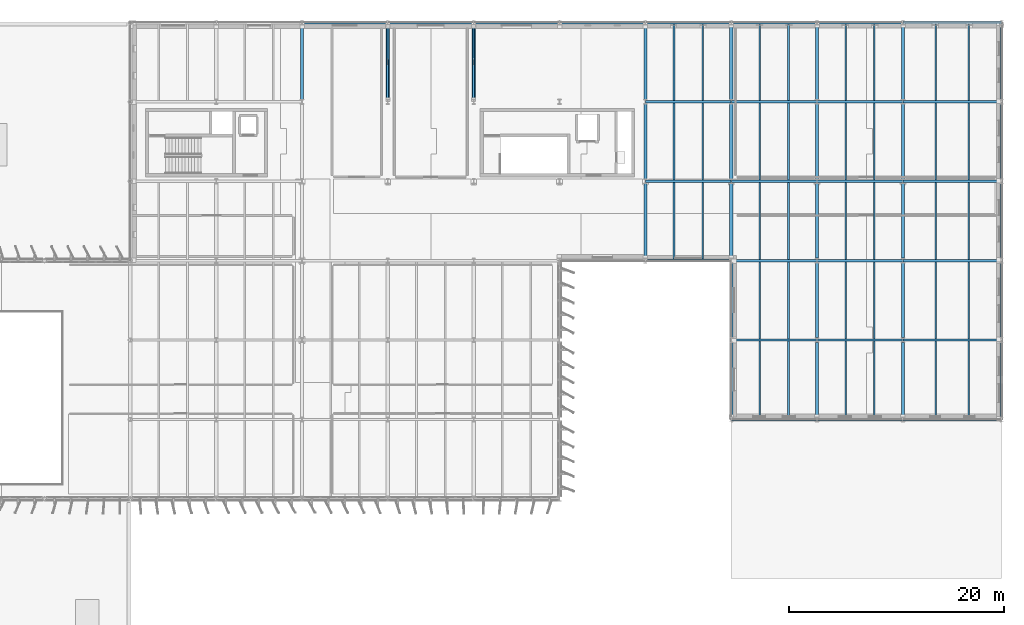
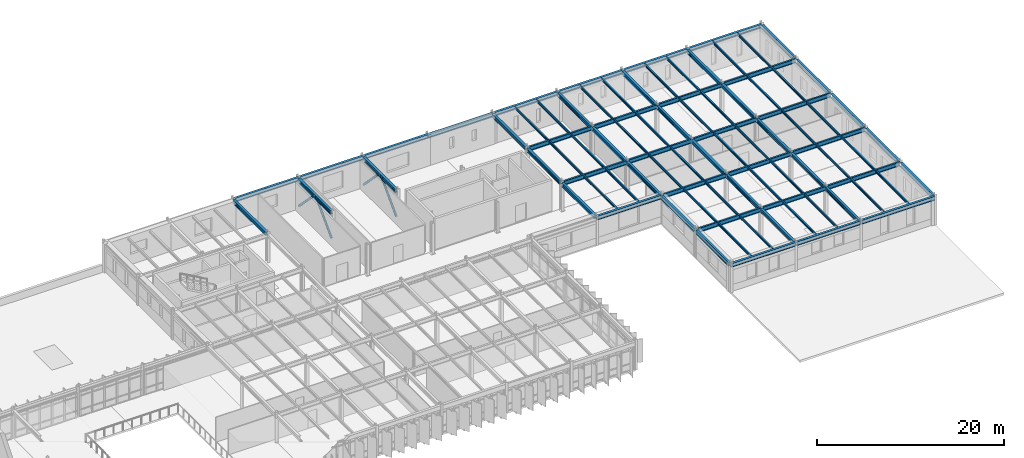
# One storey, part 26 of 56: 88 beams, 4 members.
"""IFC4 building model written with IfcOpenShell, lengths in metres."""

from ifc_helpers import new_model, si_unit, direction, frame, origin, origin_2d, place, context, subcontext, project, spatial, hollow_circle, i_section, extrude, material, material_profile, profile_set, type_object, element, save


model = new_model("IFC4")

# Units and contexts
model_context = context("Model", 3, precision=1e-05, world=origin(), true_north=direction((0.0, 1.0)))
body_context = subcontext(model_context, "Body", "Model", "MODEL_VIEW")
ifc_project = project(units=[si_unit("LENGTHUNIT", "METRE"), si_unit("AREAUNIT", "SQUARE_METRE"), si_unit("VOLUMEUNIT", "CUBIC_METRE"), si_unit("PLANEANGLEUNIT", "RADIAN"), si_unit("MASSUNIT", "GRAM", prefix="KILO")], contexts=[model_context])

# Site, building, storey
site_placement = place(None, origin())
site = spatial("IfcSite", under=ifc_project, at=site_placement, CompositionType="ELEMENT")
building_placement = place(site_placement, origin())
building = spatial("IfcBuilding", under=site, at=building_placement, Name="Valkorina Park Police Headquarters", CompositionType="ELEMENT")
storey_placement = place(building_placement, frame((0.0, 0.0, 14.10009765625)))
storey = spatial("IfcBuildingStorey", under=building, at=storey_placement, Name="L04", CompositionType="ELEMENT", Elevation=14.10009765625)

# Beams
ifc_material = material(Name="Steel S355", Category="steel")
ifc_material_profile_1 = material_profile(ifc_material, i_section(OverallWidth=0.300048828125, OverallDepth=0.489990234375, WebThickness=0.011962890625, FlangeThickness=0.02294921875, FilletRadius=0.027099609375, at=origin_2d()), Name="HEA 500")
ifc_profile_set_1 = profile_set([ifc_material_profile_1], Name="Steel S355")
beam_type_1 = type_object("IfcBeamType", Name="BM-S355-HEA500-BM", PredefinedType="BEAM", material=ifc_profile_set_1)
for number, where, z_axis, x_axis, name in (
    (1, (96.800048828125, 74.22509765625, 3.494873046875), (0.0, 1.0, 0.0), (-1.0, 0.0, 0.0), "L04 Framing Beam 2373"),
    (2, (128.800048828125, 59.425048828125, 3.474853515625), (0.0, 1.0, 0.0), (-1.0, 0.0, 0.0), "L04 Framing Beam 2395"),
    (3, (128.800048828125, 66.824951171875, 3.474853515625), (0.0, 1.0, 0.0), (-1.0, 0.0, 0.0), "L04 Framing Beam 2398"),
    (4, (128.800048828125, 74.22509765625, 3.474853515625), (0.0, 1.0, 0.0), (-1.0, 0.0, 0.0), "L04 Framing Beam 2401"),
    (5, (136.800048828125, 59.425048828125, 3.474853515625), (0.0, 1.0, 0.0), (-1.0, 0.0, 0.0), "L04 Framing Beam 2410"),
    (6, (136.800048828125, 66.824951171875, 3.474853515625), (0.0, 1.0, 0.0), (-1.0, 0.0, 0.0), "L04 Framing Beam 2413"),
    (7, (136.800048828125, 74.22509765625, 3.474853515625), (0.0, 1.0, 0.0), (-1.0, 0.0, 0.0), "L04 Framing Beam 2416"),
    (8, (144.800048828125, 44.625, 3.474853515625), (0.0, 1.0, 0.0), (-1.0, 0.0, 0.0), "L04 Framing Beam 2419"),
):
    element("IfcBeam", number, at=place(storey_placement, frame(where, z_axis=z_axis, x_axis=x_axis)), inside=storey, type_object=beam_type_1, Name=name, PredefinedType="BEAM", context=body_context, shape_type="SweptSolid", body=[
        extrude(i_section(OverallWidth=0.300048828125, OverallDepth=0.489990234375, WebThickness=0.011962890625, FlangeThickness=0.02294921875, FilletRadius=0.027099609375, at=origin_2d()), origin(), (0.0, 0.0, 1.0), 6.949951171875),
    ])
beam_1_placement = place(storey_placement, frame((144.800048828125, 52.02490234375, 3.474853515625), z_axis=(0.0, 1.0, 0.0), x_axis=(-1.0, 0.0, 0.0)))
element("IfcBeam", 9, at=beam_1_placement, inside=storey, type_object=beam_type_1, Name="L04 Framing Beam 2422", PredefinedType="BEAM", context=body_context, shape_type="SweptSolid", body=[
    extrude(i_section(OverallWidth=0.300048828125, OverallDepth=0.489990234375, WebThickness=0.011962890625, FlangeThickness=0.02294921875, FilletRadius=0.027099609375, at=origin_2d()), origin(), (0.0, 0.0, 1.0), 6.9501953125),
])
for number, where, z_axis, x_axis, name in (
    (10, (144.800048828125, 59.425048828125, 3.474853515625), (0.0, 1.0, 0.0), (-1.0, 0.0, 0.0), "L04 Framing Beam 2425"),
    (11, (144.800048828125, 66.824951171875, 3.474853515625), (0.0, 1.0, 0.0), (-1.0, 0.0, 0.0), "L04 Framing Beam 2428"),
    (12, (144.800048828125, 74.22509765625, 3.474853515625), (0.0, 1.0, 0.0), (-1.0, 0.0, 0.0), "L04 Framing Beam 2431"),
    (13, (152.800048828125, 44.625, 3.474853515625), (0.0, 1.0, 0.0), (-1.0, 0.0, 0.0), "L04 Framing Beam 2434"),
):
    element("IfcBeam", number, at=place(storey_placement, frame(where, z_axis=z_axis, x_axis=x_axis)), inside=storey, type_object=beam_type_1, Name=name, PredefinedType="BEAM", context=body_context, shape_type="SweptSolid", body=[
        extrude(i_section(OverallWidth=0.300048828125, OverallDepth=0.489990234375, WebThickness=0.011962890625, FlangeThickness=0.02294921875, FilletRadius=0.027099609375, at=origin_2d()), origin(), (0.0, 0.0, 1.0), 6.949951171875),
    ])
beam_2_placement = place(storey_placement, frame((152.800048828125, 52.02490234375, 3.474853515625), z_axis=(0.0, 1.0, 0.0), x_axis=(-1.0, 0.0, 0.0)))
element("IfcBeam", 14, at=beam_2_placement, inside=storey, type_object=beam_type_1, Name="L04 Framing Beam 2438", PredefinedType="BEAM", context=body_context, shape_type="SweptSolid", body=[
    extrude(i_section(OverallWidth=0.300048828125, OverallDepth=0.489990234375, WebThickness=0.011962890625, FlangeThickness=0.02294921875, FilletRadius=0.027099609375, at=origin_2d()), origin(), (0.0, 0.0, 1.0), 6.9501953125),
])
for number, where, z_axis, x_axis, name in (
    (15, (152.800048828125, 59.425048828125, 3.474853515625), (0.0, 1.0, 0.0), (-1.0, 0.0, 0.0), "L04 Framing Beam 2442"),
    (16, (152.800048828125, 66.824951171875, 3.474853515625), (0.0, 1.0, 0.0), (-1.0, 0.0, 0.0), "L04 Framing Beam 2446"),
    (17, (152.800048828125, 74.22509765625, 3.474853515625), (0.0, 1.0, 0.0), (-1.0, 0.0, 0.0), "L04 Framing Beam 2450"),
    (18, (104.800048828125, 74.22509765625, 3.494873046875), (0.0, 1.0, 0.0), (-1.0, 0.0, 0.0), "L04 Braced Frame Header Girder 1"),
    (19, (112.800048828125, 74.22509765625, 3.494873046875), (0.0, 1.0, 0.0), (-1.0, 0.0, 0.0), "L04 Braced Frame Header Girder 2"),
):
    element("IfcBeam", number, at=place(storey_placement, frame(where, z_axis=z_axis, x_axis=x_axis)), inside=storey, type_object=beam_type_1, Name=name, PredefinedType="BEAM", context=body_context, shape_type="SweptSolid", body=[
        extrude(i_section(OverallWidth=0.300048828125, OverallDepth=0.489990234375, WebThickness=0.011962890625, FlangeThickness=0.02294921875, FilletRadius=0.027099609375, at=origin_2d()), origin(), (0.0, 0.0, 1.0), 6.949951171875),
    ])
ifc_material_profile_2 = material_profile(ifc_material, i_section(OverallWidth=0.300048828125, OverallDepth=0.489990234375, WebThickness=0.011962890625, FlangeThickness=0.02294921875, FilletRadius=0.027099609375, at=origin_2d()), Name="HEA 500")
ifc_profile_set_2 = profile_set([ifc_material_profile_2], Name="Steel S355")
beam_type_2 = type_object("IfcBeamType", Name="BM-S355-HEA500-SPN", PredefinedType="SPANDREL", material=ifc_profile_set_2)
for number, where, z_axis, x_axis, name in (
    (20, (136.806884765625, 44.39990234375, 3.474853515625), (1.0, 0.0, 0.0), (0.0, 1.0, 0.0), "L04 Framing Beam 2238"),
    (21, (144.806884765625, 44.39990234375, 3.474853515625), (1.0, 0.0, 0.0), (0.0, 1.0, 0.0), "L04 Framing Beam 2239"),
):
    element("IfcBeam", number, at=place(storey_placement, frame(where, z_axis=z_axis, x_axis=x_axis)), inside=storey, type_object=beam_type_2, Name=name, PredefinedType="SPANDREL", context=body_context, shape_type="SweptSolid", body=[
        extrude(i_section(OverallWidth=0.300048828125, OverallDepth=0.489990234375, WebThickness=0.011962890625, FlangeThickness=0.02294921875, FilletRadius=0.027099609375, at=origin_2d()), origin(), (0.0, 0.0, 1.0), 7.986083984375),
    ])
beam_3_placement = place(storey_placement, frame((152.806884765625, 44.39990234375, 3.474853515625), z_axis=(1.0, 0.0, 0.0), x_axis=(0.0, 1.0, 0.0)))
element("IfcBeam", 22, at=beam_3_placement, inside=storey, type_object=beam_type_2, Name="L04 Framing Beam 2240", PredefinedType="SPANDREL", context=body_context, shape_type="SweptSolid", body=[
    extrude(i_section(OverallWidth=0.300048828125, OverallDepth=0.489990234375, WebThickness=0.011962890625, FlangeThickness=0.02294921875, FilletRadius=0.027099609375, at=origin_2d()), origin(), (0.0, 0.0, 1.0), 9.18603515625),
])
for number, where, z_axis, x_axis, name in (
    (23, (128.806884765625, 59.199951171875, 3.474853515625), (1.0, 0.0, 0.0), (0.0, 1.0, 0.0), "L04 Framing Beam 2265"),
    (24, (96.806884765625, 81.39990234375, 3.494873046875), (1.0, 0.0, 0.0), (0.0, 1.0, 0.0), "L04 Framing Beam 2283"),
    (25, (104.806884765625, 81.39990234375, 3.494873046875), (1.0, 0.0, 0.0), (0.0, 1.0, 0.0), "L04 Framing Beam 2284"),
    (26, (112.806884765625, 81.39990234375, 3.494873046875), (1.0, 0.0, 0.0), (0.0, 1.0, 0.0), "L04 Framing Beam 2285"),
    (27, (120.806884765625, 81.39990234375, 3.474853515625), (1.0, 0.0, 0.0), (0.0, 1.0, 0.0), "L04 Framing Beam 2286"),
    (28, (128.806884765625, 81.39990234375, 3.474853515625), (1.0, 0.0, 0.0), (0.0, 1.0, 0.0), "L04 Framing Beam 2287"),
    (29, (136.806884765625, 81.39990234375, 3.474853515625), (1.0, 0.0, 0.0), (0.0, 1.0, 0.0), "L04 Framing Beam 2288"),
    (30, (144.806884765625, 81.39990234375, 3.474853515625), (1.0, 0.0, 0.0), (0.0, 1.0, 0.0), "L04 Framing Beam 2289"),
):
    element("IfcBeam", number, at=place(storey_placement, frame(where, z_axis=z_axis, x_axis=x_axis)), inside=storey, type_object=beam_type_2, Name=name, PredefinedType="SPANDREL", context=body_context, shape_type="SweptSolid", body=[
        extrude(i_section(OverallWidth=0.300048828125, OverallDepth=0.489990234375, WebThickness=0.011962890625, FlangeThickness=0.02294921875, FilletRadius=0.027099609375, at=origin_2d()), origin(), (0.0, 0.0, 1.0), 7.986083984375),
    ])
beam_4_placement = place(storey_placement, frame((152.806884765625, 81.39990234375, 3.474853515625), z_axis=(1.0, 0.0, 0.0), x_axis=(0.0, 1.0, 0.0)))
element("IfcBeam", 31, at=beam_4_placement, inside=storey, type_object=beam_type_2, Name="L04 Framing Beam 2290", PredefinedType="SPANDREL", context=body_context, shape_type="SweptSolid", body=[
    extrude(i_section(OverallWidth=0.300048828125, OverallDepth=0.489990234375, WebThickness=0.011962890625, FlangeThickness=0.02294921875, FilletRadius=0.027099609375, at=origin_2d()), origin(), (0.0, 0.0, 1.0), 9.18603515625),
])
beam_5_placement = place(storey_placement, frame((136.800048828125, 44.625, 3.474853515625), z_axis=(0.0, 1.0, 0.0), x_axis=(-1.0, 0.0, 0.0)))
element("IfcBeam", 32, at=beam_5_placement, inside=storey, type_object=beam_type_2, Name="L04 Framing Beam 2404", PredefinedType="SPANDREL", context=body_context, shape_type="SweptSolid", body=[
    extrude(i_section(OverallWidth=0.300048828125, OverallDepth=0.489990234375, WebThickness=0.011962890625, FlangeThickness=0.02294921875, FilletRadius=0.027099609375, at=origin_2d()), origin(), (0.0, 0.0, 1.0), 6.949951171875),
])
beam_6_placement = place(storey_placement, frame((136.800048828125, 52.02490234375, 3.474853515625), z_axis=(0.0, 1.0, 0.0), x_axis=(-1.0, 0.0, 0.0)))
element("IfcBeam", 33, at=beam_6_placement, inside=storey, type_object=beam_type_2, Name="L04 Framing Beam 2407", PredefinedType="SPANDREL", context=body_context, shape_type="SweptSolid", body=[
    extrude(i_section(OverallWidth=0.300048828125, OverallDepth=0.489990234375, WebThickness=0.011962890625, FlangeThickness=0.02294921875, FilletRadius=0.027099609375, at=origin_2d()), origin(), (0.0, 0.0, 1.0), 6.9501953125),
])
beam_7_placement = place(storey_placement, frame((162.0, 44.625, 3.474853515625), z_axis=(0.0, 1.0, 0.0), x_axis=(-1.0, 0.0, 0.0)))
element("IfcBeam", 34, at=beam_7_placement, inside=storey, type_object=beam_type_2, Name="L04 Framing Beam 2435", PredefinedType="SPANDREL", context=body_context, shape_type="SweptSolid", body=[
    extrude(i_section(OverallWidth=0.300048828125, OverallDepth=0.489990234375, WebThickness=0.011962890625, FlangeThickness=0.02294921875, FilletRadius=0.027099609375, at=origin_2d()), origin(), (0.0, 0.0, 1.0), 6.949951171875),
])
beam_8_placement = place(storey_placement, frame((162.0, 52.02490234375, 3.474853515625), z_axis=(0.0, 1.0, 0.0), x_axis=(-1.0, 0.0, 0.0)))
element("IfcBeam", 35, at=beam_8_placement, inside=storey, type_object=beam_type_2, Name="L04 Framing Beam 2439", PredefinedType="SPANDREL", context=body_context, shape_type="SweptSolid", body=[
    extrude(i_section(OverallWidth=0.300048828125, OverallDepth=0.489990234375, WebThickness=0.011962890625, FlangeThickness=0.02294921875, FilletRadius=0.027099609375, at=origin_2d()), origin(), (0.0, 0.0, 1.0), 6.9501953125),
])
for number, where, z_axis, x_axis, name in (
    (36, (162.0, 59.425048828125, 3.474853515625), (0.0, 1.0, 0.0), (-1.0, 0.0, 0.0), "L04 Framing Beam 2443"),
    (37, (162.0, 66.824951171875, 3.474853515625), (0.0, 1.0, 0.0), (-1.0, 0.0, 0.0), "L04 Framing Beam 2447"),
    (38, (162.0, 74.22509765625, 3.474853515625), (0.0, 1.0, 0.0), (-1.0, 0.0, 0.0), "L04 Framing Beam 2451"),
):
    element("IfcBeam", number, at=place(storey_placement, frame(where, z_axis=z_axis, x_axis=x_axis)), inside=storey, type_object=beam_type_2, Name=name, PredefinedType="SPANDREL", context=body_context, shape_type="SweptSolid", body=[
        extrude(i_section(OverallWidth=0.300048828125, OverallDepth=0.489990234375, WebThickness=0.011962890625, FlangeThickness=0.02294921875, FilletRadius=0.027099609375, at=origin_2d()), origin(), (0.0, 0.0, 1.0), 6.949951171875),
    ])
ifc_material_profile_3 = material_profile(ifc_material, i_section(OverallWidth=0.14990234375, OverallDepth=0.300048828125, WebThickness=0.007080078125, FlangeThickness=0.0107421875, FilletRadius=0.014892578125, at=origin_2d()), Name="IPE 300")
ifc_profile_set_3 = profile_set([ifc_material_profile_3], Name="Steel S355")
beam_type_3 = type_object("IfcBeamType", Name="BM-S355-IPE300-JST", PredefinedType="JOIST", material=ifc_profile_set_3)
for number, where, z_axis, x_axis, name in (
    (39, (131.466796875, 59.35009765625, 3.56982421875), (0.0, 1.0, 0.0), (-1.0, 0.0, 0.0), "L04 Framing Beam 2396"),
    (40, (134.13330078125, 59.35009765625, 3.56982421875), (0.0, 1.0, 0.0), (-1.0, 0.0, 0.0), "L04 Framing Beam 2397"),
):
    element("IfcBeam", number, at=place(storey_placement, frame(where, z_axis=z_axis, x_axis=x_axis)), inside=storey, type_object=beam_type_3, Name=name, PredefinedType="JOIST", context=body_context, shape_type="SweptSolid", body=[
        extrude(i_section(OverallWidth=0.14990234375, OverallDepth=0.300048828125, WebThickness=0.007080078125, FlangeThickness=0.0107421875, FilletRadius=0.014892578125, at=origin_2d()), origin(), (0.0, 0.0, 1.0), 7.14501953125),
    ])
for number, where, z_axis, x_axis, name in (
    (41, (131.466796875, 66.705078125, 3.56982421875), (0.0, 1.0, 0.0), (-1.0, 0.0, 0.0), "L04 Framing Beam 2399"),
    (42, (134.13330078125, 66.705078125, 3.56982421875), (0.0, 1.0, 0.0), (-1.0, 0.0, 0.0), "L04 Framing Beam 2400"),
):
    element("IfcBeam", number, at=place(storey_placement, frame(where, z_axis=z_axis, x_axis=x_axis)), inside=storey, type_object=beam_type_3, Name=name, PredefinedType="JOIST", context=body_context, shape_type="SweptSolid", body=[
        extrude(i_section(OverallWidth=0.14990234375, OverallDepth=0.300048828125, WebThickness=0.007080078125, FlangeThickness=0.0107421875, FilletRadius=0.014892578125, at=origin_2d()), origin(), (0.0, 0.0, 1.0), 7.18994140625),
    ])
for number, where, z_axis, x_axis, name in (
    (43, (131.466796875, 74.10498046875, 3.56982421875), (0.0, 1.0, 0.0), (-1.0, 0.0, 0.0), "L04 Framing Beam 2402"),
    (44, (134.13330078125, 74.10498046875, 3.56982421875), (0.0, 1.0, 0.0), (-1.0, 0.0, 0.0), "L04 Framing Beam 2403"),
    (45, (139.466796875, 44.550048828125, 3.56982421875), (0.0, 1.0, 0.0), (-1.0, 0.0, 0.0), "L04 Framing Beam 2405"),
    (46, (142.13330078125, 44.550048828125, 3.56982421875), (0.0, 1.0, 0.0), (-1.0, 0.0, 0.0), "L04 Framing Beam 2406"),
):
    element("IfcBeam", number, at=place(storey_placement, frame(where, z_axis=z_axis, x_axis=x_axis)), inside=storey, type_object=beam_type_3, Name=name, PredefinedType="JOIST", context=body_context, shape_type="SweptSolid", body=[
        extrude(i_section(OverallWidth=0.14990234375, OverallDepth=0.300048828125, WebThickness=0.007080078125, FlangeThickness=0.0107421875, FilletRadius=0.014892578125, at=origin_2d()), origin(), (0.0, 0.0, 1.0), 7.14501953125),
    ])
for number, where, z_axis, x_axis, name in (
    (47, (139.466796875, 51.905029296875, 3.56982421875), (0.0, 1.0, 0.0), (-1.0, 0.0, 0.0), "L04 Framing Beam 2408"),
    (48, (142.13330078125, 51.905029296875, 3.56982421875), (0.0, 1.0, 0.0), (-1.0, 0.0, 0.0), "L04 Framing Beam 2409"),
):
    element("IfcBeam", number, at=place(storey_placement, frame(where, z_axis=z_axis, x_axis=x_axis)), inside=storey, type_object=beam_type_3, Name=name, PredefinedType="JOIST", context=body_context, shape_type="SweptSolid", body=[
        extrude(i_section(OverallWidth=0.14990234375, OverallDepth=0.300048828125, WebThickness=0.007080078125, FlangeThickness=0.0107421875, FilletRadius=0.014892578125, at=origin_2d()), origin(), (0.0, 0.0, 1.0), 7.18994140625),
    ])
for number, where, z_axis, x_axis, name in (
    (49, (139.466796875, 59.304931640625, 3.56982421875), (0.0, 1.0, 0.0), (-1.0, 0.0, 0.0), "L04 Framing Beam 2411"),
    (50, (142.13330078125, 59.304931640625, 3.56982421875), (0.0, 1.0, 0.0), (-1.0, 0.0, 0.0), "L04 Framing Beam 2412"),
):
    element("IfcBeam", number, at=place(storey_placement, frame(where, z_axis=z_axis, x_axis=x_axis)), inside=storey, type_object=beam_type_3, Name=name, PredefinedType="JOIST", context=body_context, shape_type="SweptSolid", body=[
        extrude(i_section(OverallWidth=0.14990234375, OverallDepth=0.300048828125, WebThickness=0.007080078125, FlangeThickness=0.0107421875, FilletRadius=0.014892578125, at=origin_2d()), origin(), (0.0, 0.0, 1.0), 7.190185546875),
    ])
for number, where, z_axis, x_axis, name in (
    (51, (139.466796875, 66.705078125, 3.56982421875), (0.0, 1.0, 0.0), (-1.0, 0.0, 0.0), "L04 Framing Beam 2414"),
    (52, (142.13330078125, 66.705078125, 3.56982421875), (0.0, 1.0, 0.0), (-1.0, 0.0, 0.0), "L04 Framing Beam 2415"),
):
    element("IfcBeam", number, at=place(storey_placement, frame(where, z_axis=z_axis, x_axis=x_axis)), inside=storey, type_object=beam_type_3, Name=name, PredefinedType="JOIST", context=body_context, shape_type="SweptSolid", body=[
        extrude(i_section(OverallWidth=0.14990234375, OverallDepth=0.300048828125, WebThickness=0.007080078125, FlangeThickness=0.0107421875, FilletRadius=0.014892578125, at=origin_2d()), origin(), (0.0, 0.0, 1.0), 7.18994140625),
    ])
for number, where, z_axis, x_axis, name in (
    (53, (139.466796875, 74.10498046875, 3.56982421875), (0.0, 1.0, 0.0), (-1.0, 0.0, 0.0), "L04 Framing Beam 2417"),
    (54, (142.13330078125, 74.10498046875, 3.56982421875), (0.0, 1.0, 0.0), (-1.0, 0.0, 0.0), "L04 Framing Beam 2418"),
    (55, (147.466796875, 44.550048828125, 3.56982421875), (0.0, 1.0, 0.0), (-1.0, 0.0, 0.0), "L04 Framing Beam 2420"),
    (56, (150.13330078125, 44.550048828125, 3.56982421875), (0.0, 1.0, 0.0), (-1.0, 0.0, 0.0), "L04 Framing Beam 2421"),
):
    element("IfcBeam", number, at=place(storey_placement, frame(where, z_axis=z_axis, x_axis=x_axis)), inside=storey, type_object=beam_type_3, Name=name, PredefinedType="JOIST", context=body_context, shape_type="SweptSolid", body=[
        extrude(i_section(OverallWidth=0.14990234375, OverallDepth=0.300048828125, WebThickness=0.007080078125, FlangeThickness=0.0107421875, FilletRadius=0.014892578125, at=origin_2d()), origin(), (0.0, 0.0, 1.0), 7.14501953125),
    ])
for number, where, z_axis, x_axis, name in (
    (57, (147.466796875, 51.905029296875, 3.56982421875), (0.0, 1.0, 0.0), (-1.0, 0.0, 0.0), "L04 Framing Beam 2423"),
    (58, (150.13330078125, 51.905029296875, 3.56982421875), (0.0, 1.0, 0.0), (-1.0, 0.0, 0.0), "L04 Framing Beam 2424"),
):
    element("IfcBeam", number, at=place(storey_placement, frame(where, z_axis=z_axis, x_axis=x_axis)), inside=storey, type_object=beam_type_3, Name=name, PredefinedType="JOIST", context=body_context, shape_type="SweptSolid", body=[
        extrude(i_section(OverallWidth=0.14990234375, OverallDepth=0.300048828125, WebThickness=0.007080078125, FlangeThickness=0.0107421875, FilletRadius=0.014892578125, at=origin_2d()), origin(), (0.0, 0.0, 1.0), 7.18994140625),
    ])
for number, where, z_axis, x_axis, name in (
    (59, (147.466796875, 59.304931640625, 3.56982421875), (0.0, 1.0, 0.0), (-1.0, 0.0, 0.0), "L04 Framing Beam 2426"),
    (60, (150.13330078125, 59.304931640625, 3.56982421875), (0.0, 1.0, 0.0), (-1.0, 0.0, 0.0), "L04 Framing Beam 2427"),
):
    element("IfcBeam", number, at=place(storey_placement, frame(where, z_axis=z_axis, x_axis=x_axis)), inside=storey, type_object=beam_type_3, Name=name, PredefinedType="JOIST", context=body_context, shape_type="SweptSolid", body=[
        extrude(i_section(OverallWidth=0.14990234375, OverallDepth=0.300048828125, WebThickness=0.007080078125, FlangeThickness=0.0107421875, FilletRadius=0.014892578125, at=origin_2d()), origin(), (0.0, 0.0, 1.0), 7.190185546875),
    ])
for number, where, z_axis, x_axis, name in (
    (61, (147.466796875, 66.705078125, 3.56982421875), (0.0, 1.0, 0.0), (-1.0, 0.0, 0.0), "L04 Framing Beam 2429"),
    (62, (150.13330078125, 66.705078125, 3.56982421875), (0.0, 1.0, 0.0), (-1.0, 0.0, 0.0), "L04 Framing Beam 2430"),
):
    element("IfcBeam", number, at=place(storey_placement, frame(where, z_axis=z_axis, x_axis=x_axis)), inside=storey, type_object=beam_type_3, Name=name, PredefinedType="JOIST", context=body_context, shape_type="SweptSolid", body=[
        extrude(i_section(OverallWidth=0.14990234375, OverallDepth=0.300048828125, WebThickness=0.007080078125, FlangeThickness=0.0107421875, FilletRadius=0.014892578125, at=origin_2d()), origin(), (0.0, 0.0, 1.0), 7.18994140625),
    ])
for number, where, z_axis, x_axis, name in (
    (63, (147.466796875, 74.10498046875, 3.56982421875), (0.0, 1.0, 0.0), (-1.0, 0.0, 0.0), "L04 Framing Beam 2432"),
    (64, (150.13330078125, 74.10498046875, 3.56982421875), (0.0, 1.0, 0.0), (-1.0, 0.0, 0.0), "L04 Framing Beam 2433"),
    (65, (155.86669921875, 44.550048828125, 3.56982421875), (0.0, 1.0, 0.0), (-1.0, 0.0, 0.0), "L04 Framing Beam 2436"),
    (66, (158.933349609375, 44.550048828125, 3.56982421875), (0.0, 1.0, 0.0), (-1.0, 0.0, 0.0), "L04 Framing Beam 2437"),
):
    element("IfcBeam", number, at=place(storey_placement, frame(where, z_axis=z_axis, x_axis=x_axis)), inside=storey, type_object=beam_type_3, Name=name, PredefinedType="JOIST", context=body_context, shape_type="SweptSolid", body=[
        extrude(i_section(OverallWidth=0.14990234375, OverallDepth=0.300048828125, WebThickness=0.007080078125, FlangeThickness=0.0107421875, FilletRadius=0.014892578125, at=origin_2d()), origin(), (0.0, 0.0, 1.0), 7.14501953125),
    ])
for number, where, z_axis, x_axis, name in (
    (67, (155.86669921875, 51.905029296875, 3.56982421875), (0.0, 1.0, 0.0), (-1.0, 0.0, 0.0), "L04 Framing Beam 2440"),
    (68, (158.933349609375, 51.905029296875, 3.56982421875), (0.0, 1.0, 0.0), (-1.0, 0.0, 0.0), "L04 Framing Beam 2441"),
):
    element("IfcBeam", number, at=place(storey_placement, frame(where, z_axis=z_axis, x_axis=x_axis)), inside=storey, type_object=beam_type_3, Name=name, PredefinedType="JOIST", context=body_context, shape_type="SweptSolid", body=[
        extrude(i_section(OverallWidth=0.14990234375, OverallDepth=0.300048828125, WebThickness=0.007080078125, FlangeThickness=0.0107421875, FilletRadius=0.014892578125, at=origin_2d()), origin(), (0.0, 0.0, 1.0), 7.18994140625),
    ])
for number, where, z_axis, x_axis, name in (
    (69, (155.86669921875, 59.304931640625, 3.56982421875), (0.0, 1.0, 0.0), (-1.0, 0.0, 0.0), "L04 Framing Beam 2444"),
    (70, (158.933349609375, 59.304931640625, 3.56982421875), (0.0, 1.0, 0.0), (-1.0, 0.0, 0.0), "L04 Framing Beam 2445"),
):
    element("IfcBeam", number, at=place(storey_placement, frame(where, z_axis=z_axis, x_axis=x_axis)), inside=storey, type_object=beam_type_3, Name=name, PredefinedType="JOIST", context=body_context, shape_type="SweptSolid", body=[
        extrude(i_section(OverallWidth=0.14990234375, OverallDepth=0.300048828125, WebThickness=0.007080078125, FlangeThickness=0.0107421875, FilletRadius=0.014892578125, at=origin_2d()), origin(), (0.0, 0.0, 1.0), 7.190185546875),
    ])
for number, where, z_axis, x_axis, name in (
    (71, (155.86669921875, 66.705078125, 3.56982421875), (0.0, 1.0, 0.0), (-1.0, 0.0, 0.0), "L04 Framing Beam 2448"),
    (72, (158.933349609375, 66.705078125, 3.56982421875), (0.0, 1.0, 0.0), (-1.0, 0.0, 0.0), "L04 Framing Beam 2449"),
):
    element("IfcBeam", number, at=place(storey_placement, frame(where, z_axis=z_axis, x_axis=x_axis)), inside=storey, type_object=beam_type_3, Name=name, PredefinedType="JOIST", context=body_context, shape_type="SweptSolid", body=[
        extrude(i_section(OverallWidth=0.14990234375, OverallDepth=0.300048828125, WebThickness=0.007080078125, FlangeThickness=0.0107421875, FilletRadius=0.014892578125, at=origin_2d()), origin(), (0.0, 0.0, 1.0), 7.18994140625),
    ])
for number, where, z_axis, x_axis, name in (
    (73, (155.86669921875, 74.10498046875, 3.56982421875), (0.0, 1.0, 0.0), (-1.0, 0.0, 0.0), "L04 Framing Beam 2452"),
    (74, (158.933349609375, 74.10498046875, 3.56982421875), (0.0, 1.0, 0.0), (-1.0, 0.0, 0.0), "L04 Framing Beam 2453"),
):
    element("IfcBeam", number, at=place(storey_placement, frame(where, z_axis=z_axis, x_axis=x_axis)), inside=storey, type_object=beam_type_3, Name=name, PredefinedType="JOIST", context=body_context, shape_type="SweptSolid", body=[
        extrude(i_section(OverallWidth=0.14990234375, OverallDepth=0.300048828125, WebThickness=0.007080078125, FlangeThickness=0.0107421875, FilletRadius=0.014892578125, at=origin_2d()), origin(), (0.0, 0.0, 1.0), 7.14501953125),
    ])
ifc_material_profile_4 = material_profile(ifc_material, i_section(OverallWidth=0.2099609375, OverallDepth=0.550048828125, WebThickness=0.010986328125, FlangeThickness=0.01708984375, FilletRadius=0.02392578125, at=origin_2d()), Name="IPE 550")
ifc_profile_set_4 = profile_set([ifc_material_profile_4], Name="Steel S355")
beam_type_4 = type_object("IfcBeamType", Name="BM-S355-IPE550-BM", PredefinedType="BEAM", material=ifc_profile_set_4)
for number, where, z_axis, x_axis, name in (
    (75, (136.806884765625, 51.800048828125, 3.44482421875), (1.0, 0.0, 0.0), (0.0, 1.0, 0.0), "L04 Framing Beam 2246"),
    (76, (144.806884765625, 51.800048828125, 3.44482421875), (1.0, 0.0, 0.0), (0.0, 1.0, 0.0), "L04 Framing Beam 2247"),
):
    element("IfcBeam", number, at=place(storey_placement, frame(where, z_axis=z_axis, x_axis=x_axis)), inside=storey, type_object=beam_type_4, Name=name, PredefinedType="BEAM", context=body_context, shape_type="SweptSolid", body=[
        extrude(i_section(OverallWidth=0.2099609375, OverallDepth=0.550048828125, WebThickness=0.010986328125, FlangeThickness=0.01708984375, FilletRadius=0.02392578125, at=origin_2d()), origin(), (0.0, 0.0, 1.0), 7.986083984375),
    ])
beam_9_placement = place(storey_placement, frame((152.806884765625, 51.800048828125, 3.44482421875), z_axis=(1.0, 0.0, 0.0), x_axis=(0.0, 1.0, 0.0)))
element("IfcBeam", 77, at=beam_9_placement, inside=storey, type_object=beam_type_4, Name="L04 Framing Beam 2248", PredefinedType="BEAM", context=body_context, shape_type="SweptSolid", body=[
    extrude(i_section(OverallWidth=0.2099609375, OverallDepth=0.550048828125, WebThickness=0.010986328125, FlangeThickness=0.01708984375, FilletRadius=0.02392578125, at=origin_2d()), origin(), (0.0, 0.0, 1.0), 9.18603515625),
])
for number, where, z_axis, x_axis, name in (
    (78, (136.806884765625, 59.199951171875, 3.44482421875), (1.0, 0.0, 0.0), (0.0, 1.0, 0.0), "L04 Framing Beam 2266"),
    (79, (144.806884765625, 59.199951171875, 3.44482421875), (1.0, 0.0, 0.0), (0.0, 1.0, 0.0), "L04 Framing Beam 2267"),
):
    element("IfcBeam", number, at=place(storey_placement, frame(where, z_axis=z_axis, x_axis=x_axis)), inside=storey, type_object=beam_type_4, Name=name, PredefinedType="BEAM", context=body_context, shape_type="SweptSolid", body=[
        extrude(i_section(OverallWidth=0.2099609375, OverallDepth=0.550048828125, WebThickness=0.010986328125, FlangeThickness=0.01708984375, FilletRadius=0.02392578125, at=origin_2d()), origin(), (0.0, 0.0, 1.0), 7.986083984375),
    ])
beam_10_placement = place(storey_placement, frame((152.806884765625, 59.199951171875, 3.44482421875), z_axis=(1.0, 0.0, 0.0), x_axis=(0.0, 1.0, 0.0)))
element("IfcBeam", 80, at=beam_10_placement, inside=storey, type_object=beam_type_4, Name="L04 Framing Beam 2268", PredefinedType="BEAM", context=body_context, shape_type="SweptSolid", body=[
    extrude(i_section(OverallWidth=0.2099609375, OverallDepth=0.550048828125, WebThickness=0.010986328125, FlangeThickness=0.01708984375, FilletRadius=0.02392578125, at=origin_2d()), origin(), (0.0, 0.0, 1.0), 9.18603515625),
])
for number, where, z_axis, x_axis, name in (
    (81, (128.806884765625, 66.60009765625, 3.44482421875), (1.0, 0.0, 0.0), (0.0, 1.0, 0.0), "L04 Framing Beam 2271"),
    (82, (136.806884765625, 66.60009765625, 3.44482421875), (1.0, 0.0, 0.0), (0.0, 1.0, 0.0), "L04 Framing Beam 2272"),
    (83, (144.806884765625, 66.60009765625, 3.44482421875), (1.0, 0.0, 0.0), (0.0, 1.0, 0.0), "L04 Framing Beam 2273"),
):
    element("IfcBeam", number, at=place(storey_placement, frame(where, z_axis=z_axis, x_axis=x_axis)), inside=storey, type_object=beam_type_4, Name=name, PredefinedType="BEAM", context=body_context, shape_type="SweptSolid", body=[
        extrude(i_section(OverallWidth=0.2099609375, OverallDepth=0.550048828125, WebThickness=0.010986328125, FlangeThickness=0.01708984375, FilletRadius=0.02392578125, at=origin_2d()), origin(), (0.0, 0.0, 1.0), 7.986083984375),
    ])
beam_11_placement = place(storey_placement, frame((152.806884765625, 66.60009765625, 3.44482421875), z_axis=(1.0, 0.0, 0.0), x_axis=(0.0, 1.0, 0.0)))
element("IfcBeam", 84, at=beam_11_placement, inside=storey, type_object=beam_type_4, Name="L04 Framing Beam 2274", PredefinedType="BEAM", context=body_context, shape_type="SweptSolid", body=[
    extrude(i_section(OverallWidth=0.2099609375, OverallDepth=0.550048828125, WebThickness=0.010986328125, FlangeThickness=0.01708984375, FilletRadius=0.02392578125, at=origin_2d()), origin(), (0.0, 0.0, 1.0), 9.18603515625),
])
for number, where, z_axis, x_axis, name in (
    (85, (128.806884765625, 74.0, 3.44482421875), (1.0, 0.0, 0.0), (0.0, 1.0, 0.0), "L04 Framing Beam 2277"),
    (86, (136.806884765625, 74.0, 3.44482421875), (1.0, 0.0, 0.0), (0.0, 1.0, 0.0), "L04 Framing Beam 2278"),
    (87, (144.806884765625, 74.0, 3.44482421875), (1.0, 0.0, 0.0), (0.0, 1.0, 0.0), "L04 Framing Beam 2279"),
):
    element("IfcBeam", number, at=place(storey_placement, frame(where, z_axis=z_axis, x_axis=x_axis)), inside=storey, type_object=beam_type_4, Name=name, PredefinedType="BEAM", context=body_context, shape_type="SweptSolid", body=[
        extrude(i_section(OverallWidth=0.2099609375, OverallDepth=0.550048828125, WebThickness=0.010986328125, FlangeThickness=0.01708984375, FilletRadius=0.02392578125, at=origin_2d()), origin(), (0.0, 0.0, 1.0), 7.986083984375),
    ])
beam_12_placement = place(storey_placement, frame((152.806884765625, 74.0, 3.44482421875), z_axis=(1.0, 0.0, 0.0), x_axis=(0.0, 1.0, 0.0)))
element("IfcBeam", 88, at=beam_12_placement, inside=storey, type_object=beam_type_4, Name="L04 Framing Beam 2280", PredefinedType="BEAM", context=body_context, shape_type="SweptSolid", body=[
    extrude(i_section(OverallWidth=0.2099609375, OverallDepth=0.550048828125, WebThickness=0.010986328125, FlangeThickness=0.01708984375, FilletRadius=0.02392578125, at=origin_2d()), origin(), (0.0, 0.0, 1.0), 9.18603515625),
])

# Members
ifc_material_profile_5 = material_profile(ifc_material, hollow_circle(Radius=0.136474609375, WallThickness=0.012451171875, at=origin_2d()), Name="CHS 273x12.5")
ifc_profile_set_5 = profile_set([ifc_material_profile_5], Name="Steel S355")
member_type = type_object("IfcMemberType", Name="MB-S355-CHS273-BRC", PredefinedType="BRACE", material=ifc_profile_set_5)
for number, where, z_axis, x_axis, name in (
    (89, (104.800048828125, 74.22509765625, 0.099853515625), (0.0, 0.696131595335, 0.717914202378), (-1.0, 0.0, 0.0), "L04 Concentric Chevron Brace 025"),
    (90, (104.800048828125, 81.175048828125, 0.099853515625), (0.0, -0.696131595335, 0.717914202378), (1.0, 0.0, 0.0), "L04 Concentric Chevron Brace 026"),
    (91, (112.800048828125, 74.22509765625, 0.099853515625), (0.0, 0.696131595335, 0.717914202378), (-1.0, 0.0, 0.0), "L04 Concentric Chevron Brace 035"),
    (92, (112.800048828125, 81.175048828125, 0.099853515625), (0.0, -0.696131595335, 0.717914202378), (1.0, 0.0, 0.0), "L04 Concentric Chevron Brace 036"),
):
    element("IfcMember", number, at=place(storey_placement, frame(where, z_axis=z_axis, x_axis=x_axis)), inside=storey, type_object=member_type, Name=name, PredefinedType="BRACE", context=body_context, shape_type="SweptSolid", body=[
        extrude(hollow_circle(Radius=0.136474609375, WallThickness=0.012451171875, at=origin_2d()), origin(), (0.0, 0.0, 1.0), 4.819580078125),
    ])

save(model, "model.ifc")
